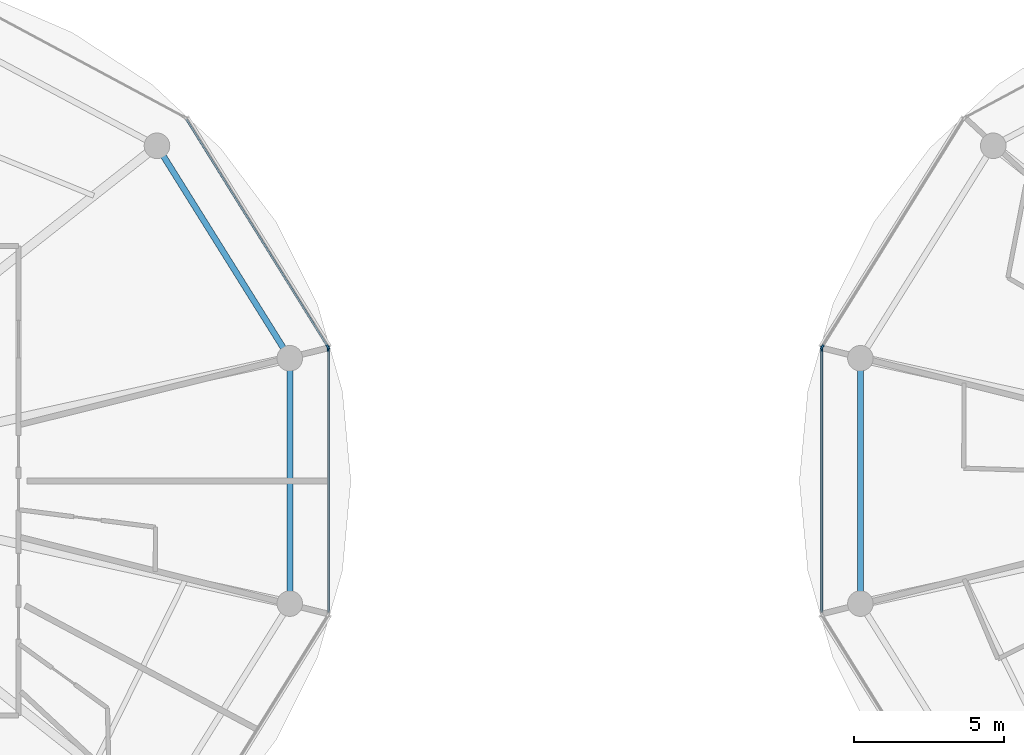
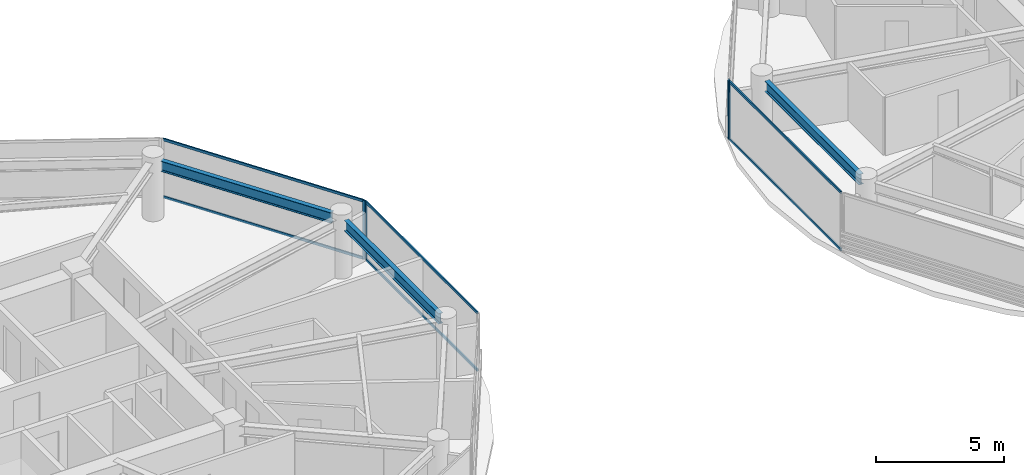
# One storey, part 7 of 24: 10 members, 3 beams, 4 elements without a shape of their own.
"""IFC4 building model written with IfcOpenShell, lengths in metres."""

from ifc_helpers import new_model, si_unit, direction, frame, origin, origin_2d, place, context, subcontext, project, spatial, rectangle, i_section, extrude, source, transform, mapped, material, layer, layer_set, material_profile, profile_set, type_object, type_shapes, element, aggregate, save


model = new_model("IFC4")

# Units and contexts
model_context = context("Model", 3, precision=1e-05, world=origin(), true_north=direction((0.0, 1.0)))
body_context = subcontext(model_context, "Body", "Model", "MODEL_VIEW")
ifc_project = project(units=[si_unit("LENGTHUNIT", "METRE"), si_unit("AREAUNIT", "SQUARE_METRE"), si_unit("VOLUMEUNIT", "CUBIC_METRE"), si_unit("PLANEANGLEUNIT", "RADIAN"), si_unit("MASSUNIT", "GRAM", prefix="KILO")], contexts=[model_context])

# Site, building, storey
site_placement = place(None, origin())
site = spatial("IfcSite", under=ifc_project, at=site_placement, CompositionType="ELEMENT")
building_placement = place(site_placement, origin())
building = spatial("IfcBuilding", under=site, at=building_placement, Name="Norrkilde Senior Care Towers", CompositionType="ELEMENT")
storey_placement = place(building_placement, frame((0.0, 0.0, 105.39990234375)))
storey = spatial("IfcBuildingStorey", under=building, at=storey_placement, Name="L32", CompositionType="ELEMENT", Elevation=105.39990234375)

# Beams
ifc_material_1 = material(Name="Steel S355", Category="steel")
ifc_material_profile_1 = material_profile(ifc_material_1, i_section(OverallWidth=0.199951171875, OverallDepth=0.5, WebThickness=0.01025390625, FlangeThickness=0.01611328125, FilletRadius=0.02099609375, at=origin_2d()), Name="IPE 500")
ifc_profile_set_1 = profile_set([ifc_material_profile_1], Name="Steel S355")
beam_type = type_object("IfcBeamType", Name="Perimeter Ring Spandrel Z2 IPE500", PredefinedType="SPANDREL", material=ifc_profile_set_1)
shared_shape_1 = source(origin(), body_context, "Body", "SweptSolid", [
    extrude(i_section(OverallWidth=0.199951171875, OverallDepth=0.5, WebThickness=0.01025390625, FlangeThickness=0.01611328125, FilletRadius=0.02099609375, at=origin_2d()), origin(), (0.0, 0.0, 1.0), 7.55615234375),
])
beam_placement = place(storey_placement, frame((-9.68505859375, 4.40283203125, 2.5400390625), z_axis=(-0.529981514254, 0.848009194849, 0.0), x_axis=(-0.848009194849, -0.529981514254, 0.0)))
element("IfcBeam", 1, at=beam_placement, inside=storey, type_object=beam_type, Name="L32 Drum W Perimeter Spandrel 01", PredefinedType="SPANDREL", context=body_context, shape_type="MappedRepresentation", body=[
    mapped(shared_shape_1, transform((0.0, 0.0, 0.0), x_axis=(1.0, 0.0, 0.0), y_axis=(0.0, 1.0, 0.0), z_axis=(0.0, 0.0, 1.0), scale=1.0)),
])
shared_shape_2 = source(origin(), body_context, "Body", "SweptSolid", [
    extrude(i_section(OverallWidth=0.199951171875, OverallDepth=0.5, WebThickness=0.01025390625, FlangeThickness=0.01611328125, FilletRadius=0.02099609375, at=origin_2d()), origin(), (0.0, 0.0, 1.0), 7.3828125),
])
type_shapes(beam_type, [shared_shape_1, shared_shape_2])
for number, where, z_axis, x_axis, name in (
    (2, (-9.48095703125, -3.69140625, 2.5400390625), (0.0, 1.0, 0.0), (-1.0, 0.0, 0.0), "L32 Drum W Perimeter Spandrel 12"),
    (3, (9.48095703125, 3.69140625, 2.5400390625), (0.0, -1.0, 0.0), (1.0, 0.0, 0.0), "L32 Drum E Perimeter Spandrel 06"),
):
    element("IfcBeam", number, at=place(storey_placement, frame(where, z_axis=z_axis, x_axis=x_axis)), inside=storey, type_object=beam_type, Name=name, PredefinedType="SPANDREL", context=body_context, shape_type="MappedRepresentation", body=[
        mapped(shared_shape_2, transform((0.0, 0.0, 0.0), x_axis=(1.0, 0.0, 0.0), y_axis=(0.0, 1.0, 0.0), z_axis=(0.0, 0.0, 1.0), scale=1.0)),
    ])

# Curtain wall, member
ifc_material_2 = material(Name="Triple Low-E Insulated Glazing", Category="glass")
ifc_layer = layer(ifc_material_2, 0.195068359375)
ifc_layer_set = layer_set([ifc_layer], Name="Triple Low-E Insulated Glazing")
curtain_wall_type = type_object("IfcCurtainWallType", Name="CW3 Zone 2 Assisted Living Curtain Wall", PredefinedType="NOTDEFINED", material=ifc_layer_set)
curtain_wall_1_placement = place(storey_placement, origin())
curtain_wall_1 = element("IfcCurtainWall", 4, at=curtain_wall_1_placement, inside=storey, type_object=curtain_wall_type, Name="L32 Drum W Curtain Wall 00", PredefinedType="NOTDEFINED")
ifc_material_3 = material(Name="Anodised Aluminium", Category="aluminium")
ifc_material_profile_2 = material_profile(ifc_material_3, rectangle(XDim=0.06494140625, YDim=0.159912109375, at=origin_2d()), Name="ALU MULL 65x160")
ifc_profile_set_2 = profile_set([ifc_material_profile_2], Name="Anodised Aluminium")
member_type_1 = type_object("IfcMemberType", Name="Curtain Wall Mullion Z1-Z2 65x160", PredefinedType="MULLION", material=ifc_profile_set_2)
shared_shape_3 = source(origin(), body_context, "Body", "SweptSolid", [
    extrude(rectangle(XDim=0.06494140625, YDim=0.159912109375, at=origin_2d()), origin(), (0.0, 0.0, 1.0), 2.7900390625),
])
type_shapes(member_type_1, [shared_shape_3])
member_1_placement = place(storey_placement, frame((-8.21337890625, 4.4482421875, 0.0), z_axis=(0.0, 0.0, 1.0), x_axis=(0.849410171862, 0.527733228002, 0.0)))
member_1 = element("IfcMember", 5, at=member_1_placement, type_object=member_type_1, Name="CW-3 mullion 2", PredefinedType="MULLION", context=body_context, shape_type="MappedRepresentation", body=[
    mapped(shared_shape_3, transform((0.0, 0.0, 0.0), x_axis=(1.0, 0.0, 0.0), y_axis=(0.0, 1.0, 0.0), z_axis=(0.0, 0.0, 1.0), scale=1.0)),
])

curtain_wall_2_placement = place(storey_placement, origin())
curtain_wall_2 = element("IfcCurtainWall", 6, at=curtain_wall_2_placement, inside=storey, type_object=curtain_wall_type, Name="L32 Drum W Curtain Wall 11", PredefinedType="NOTDEFINED")
member_2_placement = place(storey_placement, frame((-8.1962890625, 4.38818359375, 0.0), z_axis=(0.0, 0.0, 1.0), x_axis=(1.0, 0.0, 0.0)))
member_2 = element("IfcMember", 7, at=member_2_placement, type_object=member_type_1, Name="CW-3 mullion 1", PredefinedType="MULLION", context=body_context, shape_type="MappedRepresentation", body=[
    mapped(shared_shape_3, transform((0.0, 0.0, 0.0), x_axis=(1.0, 0.0, 0.0), y_axis=(0.0, 1.0, 0.0), z_axis=(0.0, 0.0, 1.0), scale=1.0)),
])

curtain_wall_3_placement = place(storey_placement, origin())
curtain_wall_3 = element("IfcCurtainWall", 8, at=curtain_wall_3_placement, inside=storey, type_object=curtain_wall_type, Name="L32 Drum E Curtain Wall 04", PredefinedType="NOTDEFINED")
member_3_placement = place(storey_placement, frame((8.21337890625, 4.4482421875, 0.0), z_axis=(0.0, 0.0, 1.0), x_axis=(-0.849410171862, 0.527733228002, 0.0)))
member_3 = element("IfcMember", 9, at=member_3_placement, type_object=member_type_1, Name="CW-3 mullion 1", PredefinedType="MULLION", context=body_context, shape_type="MappedRepresentation", body=[
    mapped(shared_shape_3, transform((0.0, 0.0, 0.0), x_axis=(1.0, 0.0, 0.0), y_axis=(0.0, 1.0, 0.0), z_axis=(0.0, 0.0, 1.0), scale=1.0)),
])
aggregate(curtain_wall_3, [member_3])

curtain_wall_4_placement = place(storey_placement, origin())
curtain_wall_4 = element("IfcCurtainWall", 10, at=curtain_wall_4_placement, inside=storey, type_object=curtain_wall_type, Name="L32 Drum E Curtain Wall 05", PredefinedType="NOTDEFINED")
member_4_placement = place(storey_placement, frame((8.1962890625, 4.38818359375, 0.0), z_axis=(0.0, 0.0, 1.0), x_axis=(-1.0, 0.0, 0.0)))
member_4 = element("IfcMember", 11, at=member_4_placement, type_object=member_type_1, Name="CW-3 mullion 2", PredefinedType="MULLION", context=body_context, shape_type="MappedRepresentation", body=[
    mapped(shared_shape_3, transform((0.0, 0.0, 0.0), x_axis=(1.0, 0.0, 0.0), y_axis=(0.0, 1.0, 0.0), z_axis=(0.0, 0.0, 1.0), scale=1.0)),
])

# Member
ifc_material_profile_3 = material_profile(ifc_material_3, rectangle(XDim=0.06005859375, YDim=0.1201171875, at=origin_2d()), Name="ALU TRAN 60x120")
ifc_profile_set_3 = profile_set([ifc_material_profile_3], Name="Anodised Aluminium")
member_type_2 = type_object("IfcMemberType", Name="Curtain Wall Transom Typical 60x120", PredefinedType="USERDEFINED", material=ifc_profile_set_3)
shared_shape_4 = source(origin(), body_context, "Body", "SweptSolid", [
    extrude(rectangle(XDim=0.06005859375, YDim=0.1201171875, at=origin_2d()), origin(), (0.0, 0.0, 1.0), 8.88427734375),
])
member_5_placement = place(storey_placement, frame((-12.919189453125, 12.022216796875, 0.030029296875), z_axis=(0.527749293309, -0.849400190377, 0.0), x_axis=(0.849400190377, 0.527749293309, 0.0)))
member_5 = element("IfcMember", 12, at=member_5_placement, type_object=member_type_2, Name="CW-3 transom 1.1", ObjectType="TRANSOM", PredefinedType="USERDEFINED", context=body_context, shape_type="MappedRepresentation", body=[
    mapped(shared_shape_4, transform((0.0, 0.0, 0.0), x_axis=(1.0, 0.0, 0.0), y_axis=(0.0, 1.0, 0.0), z_axis=(0.0, 0.0, 1.0), scale=1.0)),
])

member_6_placement = place(storey_placement, frame((-12.919189453125, 12.022216796875, 2.760009765625), z_axis=(0.527749293309, -0.849400190377, 0.0), x_axis=(0.849400190377, 0.527749293309, 0.0)))
member_6 = element("IfcMember", 13, at=member_6_placement, type_object=member_type_2, Name="CW-3 transom 1.2", ObjectType="TRANSOM", PredefinedType="USERDEFINED", context=body_context, shape_type="MappedRepresentation", body=[
    mapped(shared_shape_4, transform((0.0, 0.0, 0.0), x_axis=(1.0, 0.0, 0.0), y_axis=(0.0, 1.0, 0.0), z_axis=(0.0, 0.0, 1.0), scale=1.0)),
])

aggregate(curtain_wall_1, [member_1, member_5, member_6])

shared_shape_5 = source(origin(), body_context, "Body", "SweptSolid", [
    extrude(rectangle(XDim=0.06005859375, YDim=0.1201171875, at=origin_2d()), origin(), (0.0, 0.0, 1.0), 8.71142578125),
])
type_shapes(member_type_2, [shared_shape_4, shared_shape_5])
member_7_placement = place(storey_placement, frame((-8.1962890625, 4.355712890625, 0.030029296875), z_axis=(0.0, -1.0, 0.0), x_axis=(1.0, 0.0, 0.0)))
member_7 = element("IfcMember", 14, at=member_7_placement, type_object=member_type_2, Name="CW-3 transom 1.1", ObjectType="TRANSOM", PredefinedType="USERDEFINED", context=body_context, shape_type="MappedRepresentation", body=[
    mapped(shared_shape_5, transform((0.0, 0.0, 0.0), x_axis=(1.0, 0.0, 0.0), y_axis=(0.0, 1.0, 0.0), z_axis=(0.0, 0.0, 1.0), scale=1.0)),
])

member_8_placement = place(storey_placement, frame((-8.1962890625, 4.355712890625, 2.760009765625), z_axis=(0.0, -1.0, 0.0), x_axis=(1.0, 0.0, 0.0)))
member_8 = element("IfcMember", 15, at=member_8_placement, type_object=member_type_2, Name="CW-3 transom 1.2", ObjectType="TRANSOM", PredefinedType="USERDEFINED", context=body_context, shape_type="MappedRepresentation", body=[
    mapped(shared_shape_5, transform((0.0, 0.0, 0.0), x_axis=(1.0, 0.0, 0.0), y_axis=(0.0, 1.0, 0.0), z_axis=(0.0, 0.0, 1.0), scale=1.0)),
])

aggregate(curtain_wall_2, [member_2, member_7, member_8])

member_9_placement = place(storey_placement, frame((8.1962890625, -4.355712890625, 0.030029296875), z_axis=(0.0, 1.0, 0.0), x_axis=(-1.0, 0.0, 0.0)))
member_9 = element("IfcMember", 16, at=member_9_placement, type_object=member_type_2, Name="CW-3 transom 1.1", ObjectType="TRANSOM", PredefinedType="USERDEFINED", context=body_context, shape_type="MappedRepresentation", body=[
    mapped(shared_shape_5, transform((0.0, 0.0, 0.0), x_axis=(1.0, 0.0, 0.0), y_axis=(0.0, 1.0, 0.0), z_axis=(0.0, 0.0, 1.0), scale=1.0)),
])

member_10_placement = place(storey_placement, frame((8.1962890625, -4.355712890625, 2.760009765625), z_axis=(0.0, 1.0, 0.0), x_axis=(-1.0, 0.0, 0.0)))
member_10 = element("IfcMember", 17, at=member_10_placement, type_object=member_type_2, Name="CW-3 transom 1.2", ObjectType="TRANSOM", PredefinedType="USERDEFINED", context=body_context, shape_type="MappedRepresentation", body=[
    mapped(shared_shape_5, transform((0.0, 0.0, 0.0), x_axis=(1.0, 0.0, 0.0), y_axis=(0.0, 1.0, 0.0), z_axis=(0.0, 0.0, 1.0), scale=1.0)),
])

aggregate(curtain_wall_4, [member_4, member_9, member_10])

save(model, "model.ifc")
